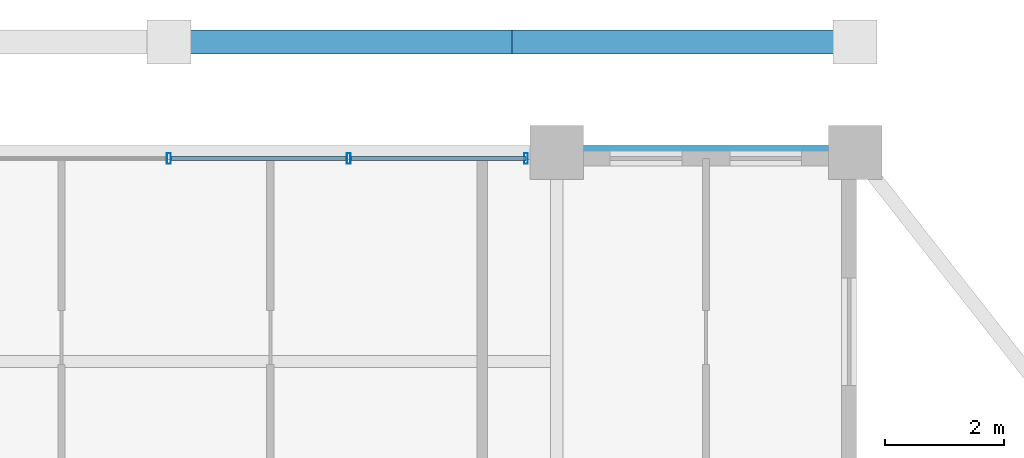
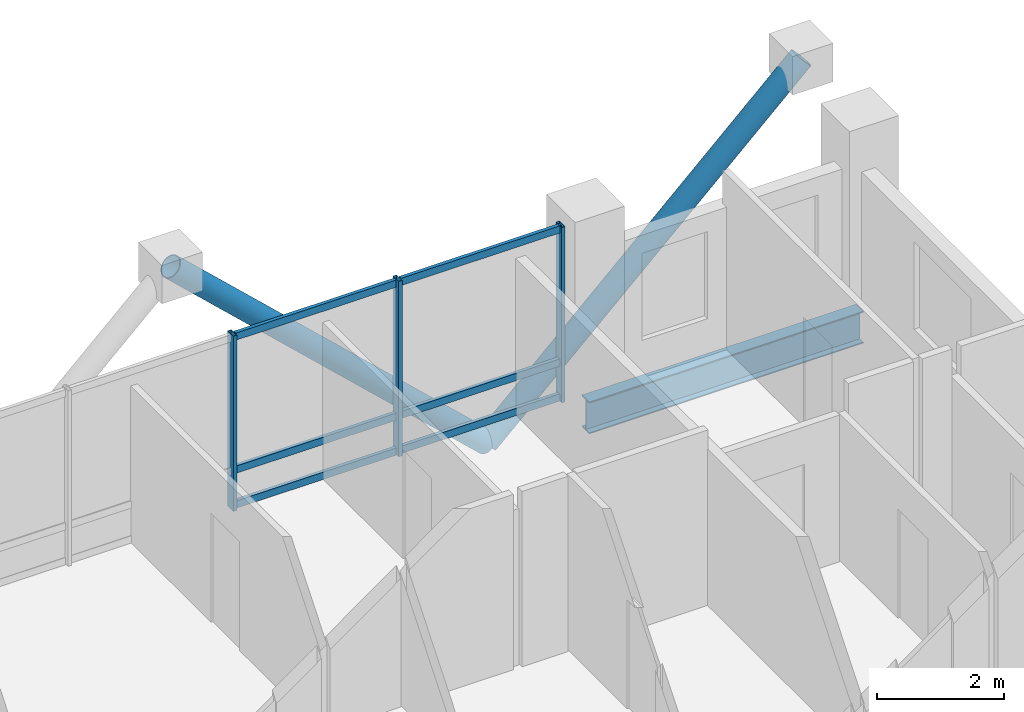
# One storey, part 16 of 23: 11 members, 1 beam, 1 element without a shape of its own.
"""IFC4 building model written with IfcOpenShell, lengths in metres."""

from ifc_helpers import new_model, si_unit, direction, frame, origin, origin_2d, place, context, subcontext, project, spatial, hollow_rectangle, hollow_circle, i_section, extrude, material, layer, layer_set, material_profile, profile_set, type_object, element, aggregate, save


model = new_model("IFC4")

# Units and contexts
model_context = context("Model", 3, precision=1e-05, world=origin(), true_north=direction((0.0, 1.0)))
body_context = subcontext(model_context, "Body", "Model", "MODEL_VIEW")
ifc_project = project(units=[si_unit("LENGTHUNIT", "METRE"), si_unit("AREAUNIT", "SQUARE_METRE"), si_unit("VOLUMEUNIT", "CUBIC_METRE"), si_unit("PLANEANGLEUNIT", "RADIAN"), si_unit("MASSUNIT", "GRAM", prefix="KILO")], contexts=[model_context])

# Site, building, storey
site_placement = place(None, origin())
site = spatial("IfcSite", under=ifc_project, at=site_placement, CompositionType="ELEMENT")
building_placement = place(site_placement, origin())
building = spatial("IfcBuilding", under=site, at=building_placement, Name="Barlavira Tower and Art Museum", CompositionType="ELEMENT")
storey_placement = place(building_placement, frame((0.0, 0.0, 279.89990234375)))
storey = spatial("IfcBuildingStorey", under=building, at=storey_placement, Name="L73", CompositionType="ELEMENT", Elevation=279.89990234375)

# Curtain wall, members
ifc_material_1 = material(Name="Low-iron coastal laminated glass", Category="glass")
ifc_layer = layer(ifc_material_1, 0.2099609375, Name="Low-iron coastal laminated glass")
ifc_layer_set = layer_set([ifc_layer], Name="Low-iron coastal laminated glass")
curtain_wall_type = type_object("IfcCurtainWallType", Name="Pale-Metal Unitised Curtain Wall Zone 4", PredefinedType="NOTDEFINED", material=ifc_layer_set)
curtain_wall_placement = place(storey_placement, origin())
curtain_wall = element("IfcCurtainWall", 1, at=curtain_wall_placement, inside=storey, type_object=curtain_wall_type, Name="L73 Curtain Wall CW4-L73-N-B2", PredefinedType="NOTDEFINED")
ifc_material_2 = material(Name="Pale anodised aluminium", Category="aluminium")
ifc_material_profile_1 = material_profile(ifc_material_2, hollow_rectangle(XDim=0.06494140625, YDim=0.179931640625, WallThickness=0.00390625, at=origin_2d()), Name="ALU-MULL 65x180x4")
ifc_profile_set_1 = profile_set([ifc_material_profile_1], Name="Pale anodised aluminium")
member_type_1 = type_object("IfcMemberType", Name="Curtain Wall Pale-Metal Mullion 65x180", PredefinedType="MULLION", material=ifc_profile_set_1)
member_1_placement = place(storey_placement, frame((5.985107421875, 19.89990234375, 0.0), z_axis=(0.0, 0.0, 1.0), x_axis=(-1.0, 0.0, 0.0)))
member_1 = element("IfcMember", 2, at=member_1_placement, type_object=member_type_1, Name="CW4-L73-N-B2 Mullion 0", PredefinedType="MULLION", context=body_context, shape_type="SweptSolid", body=[
    extrude(hollow_rectangle(XDim=0.06494140625, YDim=0.179931640625, WallThickness=0.00390625, at=origin_2d()), origin(), (0.0, 0.0, 1.0), 3.380126953125),
])
member_2_placement = place(storey_placement, frame((3.014892578125, 19.89990234375, 0.0), z_axis=(0.0, 0.0, 1.0), x_axis=(-1.0, 0.0, 0.0)))
member_2 = element("IfcMember", 3, at=member_2_placement, type_object=member_type_1, Name="CW4-L73-N-B2 Mullion 1", PredefinedType="MULLION", context=body_context, shape_type="SweptSolid", body=[
    extrude(hollow_rectangle(XDim=0.06494140625, YDim=0.179931640625, WallThickness=0.00390625, at=origin_2d()), origin(), (0.0, 0.0, 1.0), 3.380126953125),
])
member_3_placement = place(storey_placement, frame((0.0, 19.89990234375, 0.0), z_axis=(0.0, 0.0, 1.0), x_axis=(-1.0, 0.0, 0.0)))
member_3 = element("IfcMember", 4, at=member_3_placement, type_object=member_type_1, Name="CW4-L73-N-B2 Mullion 2", PredefinedType="MULLION", context=body_context, shape_type="SweptSolid", body=[
    extrude(hollow_rectangle(XDim=0.06494140625, YDim=0.179931640625, WallThickness=0.00390625, at=origin_2d()), origin(), (0.0, 0.0, 1.0), 3.380126953125),
])
ifc_material_profile_2 = material_profile(ifc_material_2, hollow_rectangle(XDim=0.06494140625, YDim=0.139892578125, WallThickness=0.00390625, at=origin_2d()), Name="ALU-TRAN 65x140x4")
ifc_profile_set_2 = profile_set([ifc_material_profile_2], Name="Pale anodised aluminium")
member_type_2 = type_object("IfcMemberType", Name="Curtain Wall Pale-Metal Transom 65x140", PredefinedType="USERDEFINED", material=ifc_profile_set_2)
member_4_placement = place(storey_placement, frame((5.985107421875, 19.89990234375, 0.070068359375), z_axis=(-1.0, 0.0, 0.0), x_axis=(0.0, -1.0, 0.0)))
member_4 = element("IfcMember", 5, at=member_4_placement, type_object=member_type_2, Name="CW4-L73-N-B2 Transom 0.1", ObjectType="TRANSOM", PredefinedType="USERDEFINED", context=body_context, shape_type="SweptSolid", body=[
    extrude(hollow_rectangle(XDim=0.06494140625, YDim=0.139892578125, WallThickness=0.00390625, at=origin_2d()), origin(), (0.0, 0.0, 1.0), 2.925048828125),
])
member_5_placement = place(storey_placement, frame((5.985107421875, 19.89990234375, 0.744140625), z_axis=(-1.0, 0.0, 0.0), x_axis=(0.0, -1.0, 0.0)))
member_5 = element("IfcMember", 6, at=member_5_placement, type_object=member_type_2, Name="CW4-L73-N-B2 Transom 0.2", ObjectType="TRANSOM", PredefinedType="USERDEFINED", context=body_context, shape_type="SweptSolid", body=[
    extrude(hollow_rectangle(XDim=0.06494140625, YDim=0.139892578125, WallThickness=0.00390625, at=origin_2d()), origin(), (0.0, 0.0, 1.0), 2.925048828125),
])
member_6_placement = place(storey_placement, frame((5.985107421875, 19.89990234375, 3.31005859375), z_axis=(-1.0, 0.0, 0.0), x_axis=(0.0, -1.0, 0.0)))
member_6 = element("IfcMember", 7, at=member_6_placement, type_object=member_type_2, Name="CW4-L73-N-B2 Transom 0.3", ObjectType="TRANSOM", PredefinedType="USERDEFINED", context=body_context, shape_type="SweptSolid", body=[
    extrude(hollow_rectangle(XDim=0.06494140625, YDim=0.139892578125, WallThickness=0.00390625, at=origin_2d()), origin(), (0.0, 0.0, 1.0), 2.925048828125),
])
member_7_placement = place(storey_placement, frame((2.969970703125, 19.89990234375, 0.070068359375), z_axis=(-1.0, 0.0, 0.0), x_axis=(0.0, -1.0, 0.0)))
member_7 = element("IfcMember", 8, at=member_7_placement, type_object=member_type_2, Name="CW4-L73-N-B2 Transom 1.1", ObjectType="TRANSOM", PredefinedType="USERDEFINED", context=body_context, shape_type="SweptSolid", body=[
    extrude(hollow_rectangle(XDim=0.06494140625, YDim=0.139892578125, WallThickness=0.00390625, at=origin_2d()), origin(), (0.0, 0.0, 1.0), 2.925048828125),
])
member_8_placement = place(storey_placement, frame((2.969970703125, 19.89990234375, 0.744140625), z_axis=(-1.0, 0.0, 0.0), x_axis=(0.0, -1.0, 0.0)))
member_8 = element("IfcMember", 9, at=member_8_placement, type_object=member_type_2, Name="CW4-L73-N-B2 Transom 1.2", ObjectType="TRANSOM", PredefinedType="USERDEFINED", context=body_context, shape_type="SweptSolid", body=[
    extrude(hollow_rectangle(XDim=0.06494140625, YDim=0.139892578125, WallThickness=0.00390625, at=origin_2d()), origin(), (0.0, 0.0, 1.0), 2.925048828125),
])
member_9_placement = place(storey_placement, frame((2.969970703125, 19.89990234375, 3.31005859375), z_axis=(-1.0, 0.0, 0.0), x_axis=(0.0, -1.0, 0.0)))
member_9 = element("IfcMember", 10, at=member_9_placement, type_object=member_type_2, Name="CW4-L73-N-B2 Transom 1.3", ObjectType="TRANSOM", PredefinedType="USERDEFINED", context=body_context, shape_type="SweptSolid", body=[
    extrude(hollow_rectangle(XDim=0.06494140625, YDim=0.139892578125, WallThickness=0.00390625, at=origin_2d()), origin(), (0.0, 0.0, 1.0), 2.925048828125),
])
aggregate(curtain_wall, [member_1, member_2, member_3, member_4, member_5, member_6, member_7, member_8, member_9])

# Members
ifc_material_3 = material(Name="Steel S355", Category="steel")
ifc_material_profile_3 = material_profile(ifc_material_3, hollow_circle(Radius=0.203125, WallThickness=0.01611328125, at=origin_2d()), Name="CHS 406.4x16.0")
ifc_profile_set_3 = profile_set([ifc_material_profile_3], Name="Steel S355")
member_type_3 = type_object("IfcMemberType", Name="Pale-Metal Exoskeleton Diagrid Tube CHS 406x16 Steel S355", PredefinedType="BRACE", material=ifc_profile_set_3)
for number, where, z_axis, x_axis, name in (
    (11, (5.75, 21.85009765625, -1.919921875), (-0.728950095515, 0.0, 0.684566839869), (0.0, -1.0, 0.0), "L73 Exoskeleton Diagrid Tube N"),
    (12, (5.75, 21.85009765625, -1.919921875), (0.728950095515, 0.0, 0.684566839869), (0.0, 1.0, 0.0), "L73 Exoskeleton Diagrid Tube N"),
):
    element("IfcMember", number, at=place(storey_placement, frame(where, z_axis=z_axis, x_axis=x_axis)), inside=storey, type_object=member_type_3, Name=name, PredefinedType="BRACE", context=body_context, shape_type="SweptSolid", body=[
        extrude(hollow_circle(Radius=0.203125, WallThickness=0.01611328125, at=origin_2d()), origin(), (0.0, 0.0, 1.0), 7.887939453125),
    ])

# Beam
ifc_material_profile_4 = material_profile(ifc_material_3, i_section(OverallWidth=0.22998046875, OverallDepth=0.616943359375, WebThickness=0.01318359375, FlangeThickness=0.022216796875, at=origin_2d()), Name="W610x140.0")
ifc_profile_set_4 = profile_set([ifc_material_profile_4], Name="Steel S355")
beam_type = type_object("IfcBeamType", Name="Upper Shaft Spandrel Edge Beam W610x140 Steel S355", PredefinedType="SPANDREL", material=ifc_profile_set_4)
beam_placement = place(storey_placement, frame((6.5, 20.0, -0.5283203125), z_axis=(1.0, 0.0, 0.0), x_axis=(0.0, 1.0, 0.0)))
element("IfcBeam", 13, at=beam_placement, inside=storey, type_object=beam_type, Name="L73 Spandrel 9", PredefinedType="SPANDREL", context=body_context, shape_type="SweptSolid", body=[
    extrude(i_section(OverallWidth=0.22998046875, OverallDepth=0.616943359375, WebThickness=0.01318359375, FlangeThickness=0.022216796875, at=origin_2d()), origin(), (0.0, 0.0, 1.0), 5.0),
])

save(model, "model.ifc")
